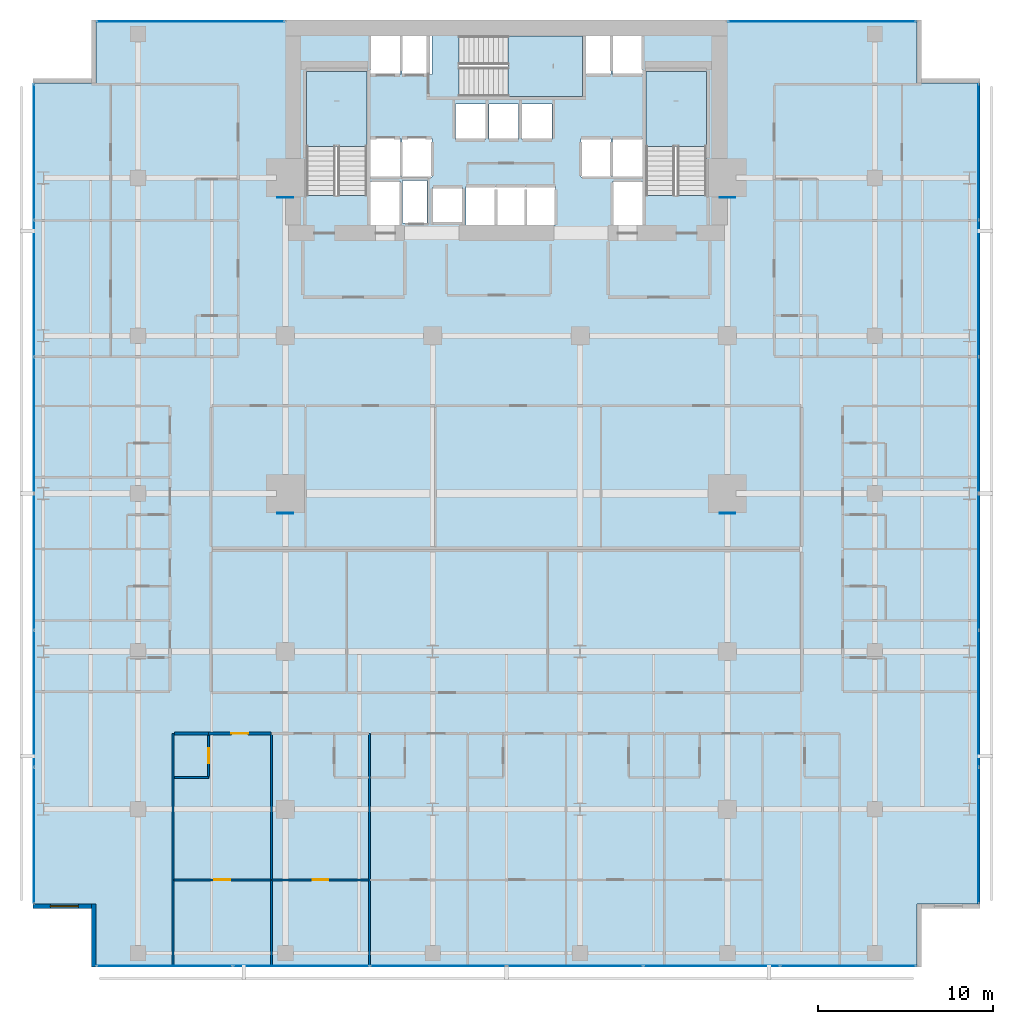
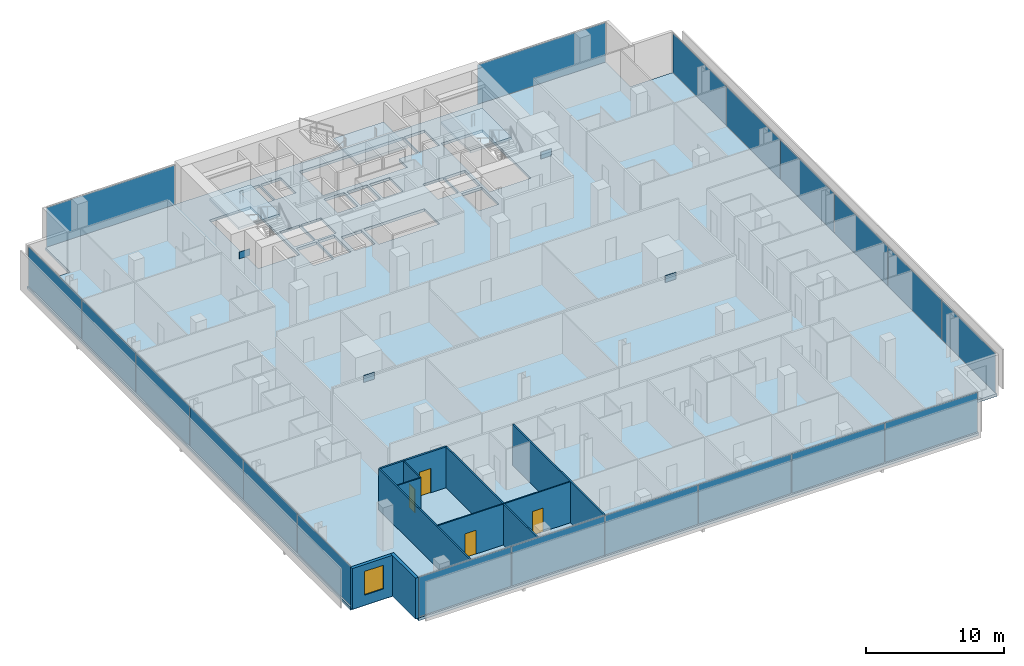
# One storey, part 32 of 40: 24 plates, 11 walls, 4 doors, 4 slabs, 1 window, 5 openings, 8 elements without a shape of their own.
"""IFC4 building model written with IfcOpenShell, lengths in metres."""

from ifc_helpers import new_model, si_unit, direction, frame, frame_2d, origin, origin_2d, place, context, subcontext, project, spatial, polyline, rectangle, outline, extrude, material, layer, layer_set, type_object, element, fill, aggregate, save


model = new_model("IFC4")

# Units and contexts
model_context = context("Model", 3, precision=1e-05, world=origin(), true_north=direction((0.0, 1.0)))
body_context = subcontext(model_context, "Body", "Model", "MODEL_VIEW")
ifc_project = project(units=[si_unit("LENGTHUNIT", "METRE"), si_unit("AREAUNIT", "SQUARE_METRE"), si_unit("VOLUMEUNIT", "CUBIC_METRE"), si_unit("PLANEANGLEUNIT", "RADIAN"), si_unit("MASSUNIT", "GRAM", prefix="KILO")], contexts=[model_context])

# Site, building, storey
site_placement = place(None, origin())
site = spatial("IfcSite", under=ifc_project, at=site_placement, CompositionType="ELEMENT")
building_placement = place(site_placement, origin())
building = spatial("IfcBuilding", under=site, at=building_placement, Name="Maruvema Waterfront Hotel and Observation Tower", CompositionType="ELEMENT")
storey_placement = place(building_placement, frame((0.0, 0.0, 53.89990234375)))
storey = spatial("IfcBuildingStorey", under=building, at=storey_placement, Name="L12", CompositionType="ELEMENT", Elevation=53.89990234375)

# Slab
ifc_material_1 = material(Name="Concrete C50/60", Category="concrete")
ifc_layer_1 = layer(ifc_material_1, 0.239990234375, Name="Reinforced Concrete Floor Slab 240 mm")
ifc_layer_set_1 = layer_set([ifc_layer_1], Name="Concrete C50/60")
slab_type_1 = type_object("IfcSlabType", Name="Reinforced Concrete Floor Slab 240 mm", PredefinedType="FLOOR", material=ifc_layer_set_1)
slab_1_placement = place(storey_placement, frame((0.0, 0.0, -0.239990234375)))
element("IfcSlab", 1, at=slab_1_placement, inside=storey, type_object=slab_type_1, Name="L12 Structural Floor Slab", PredefinedType="FLOOR", context=body_context, shape_type="SweptSolid", body=[
    extrude(outline(polyline([(14.39990234375, 0.0), (61.199951171875, 0.0), (61.199951171875, 3.60009765625), (64.800048828125, 3.60009765625), (64.800048828125, 50.39990234375), (61.199951171875, 50.39990234375), (61.199951171875, 54.0), (14.39990234375, 54.0), (14.39990234375, 50.39990234375), (10.800048828125, 50.39990234375), (10.800048828125, 3.60009765625), (14.39990234375, 3.60009765625), (14.39990234375, 0.0)]), holes=[polyline([(26.39990234375, 44.00048828125), (26.39990234375, 51.050048828125), (29.85009765625, 51.050048828125), (29.85009765625, 44.00048828125), (26.39990234375, 44.00048828125)]), polyline([(30.050048828125, 44.800048828125), (31.75, 44.800048828125), (31.75, 42.320068359375), (30.050048828125, 42.320068359375), (30.050048828125, 44.800048828125)]), polyline([(31.75, 47.25), (31.75, 45.050048828125), (30.050048828125, 45.050048828125), (30.050048828125, 47.25), (31.75, 47.25)]), polyline([(31.75, 53.10009765625), (31.75, 50.89990234375), (30.050048828125, 50.89990234375), (30.050048828125, 53.10009765625), (31.75, 53.10009765625)]), polyline([(33.280029296875, 44.860107421875), (33.280029296875, 42.43994140625), (31.8798828125, 42.43994140625), (31.8798828125, 44.860107421875), (33.280029296875, 44.860107421875)]), polyline([(31.85009765625, 47.25), (33.550048828125, 47.25), (33.550048828125, 45.050048828125), (31.85009765625, 45.050048828125), (31.85009765625, 47.25)]), polyline([(31.85009765625, 53.10009765625), (33.550048828125, 53.10009765625), (33.550048828125, 50.89990234375), (31.85009765625, 50.89990234375), (31.85009765625, 53.10009765625)]), polyline([(33.60009765625, 44.449951171875), (35.300048828125, 44.449951171875), (35.300048828125, 42.449951171875), (33.60009765625, 42.449951171875), (33.60009765625, 44.449951171875)]), polyline([(34.89990234375, 49.199951171875), (36.60009765625, 49.199951171875), (36.60009765625, 47.199951171875), (34.89990234375, 47.199951171875), (34.89990234375, 49.199951171875)]), polyline([(38.5, 49.199951171875), (38.5, 47.199951171875), (36.800048828125, 47.199951171875), (36.800048828125, 49.199951171875), (38.5, 49.199951171875)]), polyline([(35.5, 44.5), (40.60009765625, 44.5), (40.60009765625, 42.300048828125), (35.5, 42.300048828125), (35.5, 44.5)]), polyline([(43.75, 50.89990234375), (42.14990234375, 50.89990234375), (42.14990234375, 49.64990234375), (35.1005859375, 49.64990234375), (35.1005859375, 53.10009765625), (43.75, 53.10009765625), (43.75, 50.89990234375)]), polyline([(40.39990234375, 49.199951171875), (40.39990234375, 47.199951171875), (38.699951171875, 47.199951171875), (38.699951171875, 49.199951171875), (40.39990234375, 49.199951171875)]), polyline([(43.75, 47.25), (43.75, 45.050048828125), (42.050048828125, 45.050048828125), (42.050048828125, 47.25), (43.75, 47.25)]), polyline([(45.550048828125, 44.800048828125), (45.550048828125, 42.320068359375), (43.85009765625, 42.320068359375), (43.85009765625, 44.800048828125), (45.550048828125, 44.800048828125)]), polyline([(43.85009765625, 47.25), (45.550048828125, 47.25), (45.550048828125, 45.050048828125), (43.85009765625, 45.050048828125), (43.85009765625, 47.25)]), polyline([(45.550048828125, 53.10009765625), (45.550048828125, 50.89990234375), (43.85009765625, 50.89990234375), (43.85009765625, 53.10009765625), (45.550048828125, 53.10009765625)]), polyline([(45.75, 51.050048828125), (49.199951171875, 51.050048828125), (49.199951171875, 44.00048828125), (45.75, 44.00048828125), (45.75, 51.050048828125)])]), origin(), (0.0, 0.0, 1.0), 0.239990234375),
])

# Curtain wall, plates
ifc_material_2 = material(Name="Anodised bronze aluminium and solar-control low-E IGU", Category="aluminium")
ifc_layer_2 = layer(ifc_material_2, 0.159912109375, Name="Zone 1 Bronze Inner Thermal Curtain Wall System CW-02")
ifc_layer_set_2 = layer_set([ifc_layer_2], Name="Anodised bronze aluminium and solar-control low-E IGU")
curtain_wall_type = type_object("IfcCurtainWallType", Name="Zone 1 Bronze Inner Thermal Curtain Wall System CW-02", PredefinedType="USERDEFINED", material=ifc_layer_set_2)
curtain_wall_1_placement = place(storey_placement, origin())
curtain_wall_1 = element("IfcCurtainWall", 2, at=curtain_wall_1_placement, inside=storey, type_object=curtain_wall_type, Name="L12 Curtain Wall CW-L12-S", ObjectType="UNITISED CURTAIN WALL", PredefinedType="USERDEFINED")
ifc_material_3 = material(Name="Laminated low-E solar-control double glazing", Category="glass")
ifc_layer_3 = layer(ifc_material_3, 0.035888671875, Name="Solar Control Double-Glazed Curtain Panel 36 mm")
ifc_layer_set_3 = layer_set([ifc_layer_3], Name="Laminated low-E solar-control double glazing")
plate_type_1 = type_object("IfcPlateType", Name="Solar Control Double-Glazed Curtain Panel 36 mm", PredefinedType="CURTAIN_PANEL", material=ifc_layer_set_3)
plate_1_placement = place(storey_placement, frame((18.31494140625, 0.080078125, 0.06005859375), z_axis=(0.0, 0.0, 1.0), x_axis=(1.0, 0.0, 0.0)))
plate_1 = element("IfcPlate", 3, at=plate_1_placement, type_object=plate_type_1, Name="CW-02 panel 1.1", PredefinedType="CURTAIN_PANEL", context=body_context, shape_type="SweptSolid", body=[
    extrude(rectangle(XDim=7.7099609375, YDim=0.028076171875, at=origin_2d()), origin(), (0.0, 0.0, 1.0), 3.489990234375),
])
plate_2_placement = place(storey_placement, frame((26.10009765625, 0.080078125, 0.06005859375), z_axis=(0.0, 0.0, 1.0), x_axis=(1.0, 0.0, 0.0)))
plate_2 = element("IfcPlate", 4, at=plate_2_placement, type_object=plate_type_1, Name="CW-02 panel 2.1", PredefinedType="CURTAIN_PANEL", context=body_context, shape_type="SweptSolid", body=[
    extrude(rectangle(XDim=7.739990234375, YDim=0.028076171875, at=origin_2d()), origin(), (0.0, 0.0, 1.0), 3.489990234375),
])
plate_3_placement = place(storey_placement, frame((33.89990234375, 0.080078125, 0.06005859375), z_axis=(0.0, 0.0, 1.0), x_axis=(1.0, 0.0, 0.0)))
plate_3 = element("IfcPlate", 5, at=plate_3_placement, type_object=plate_type_1, Name="CW-02 panel 3.1", PredefinedType="CURTAIN_PANEL", context=body_context, shape_type="SweptSolid", body=[
    extrude(rectangle(XDim=7.739990234375, YDim=0.028076171875, at=origin_2d()), origin(), (0.0, 0.0, 1.0), 3.489990234375),
])
plate_4_placement = place(storey_placement, frame((41.699951171875, 0.080078125, 0.06005859375), z_axis=(0.0, 0.0, 1.0), x_axis=(1.0, 0.0, 0.0)))
plate_4 = element("IfcPlate", 6, at=plate_4_placement, type_object=plate_type_1, Name="CW-02 panel 4.1", PredefinedType="CURTAIN_PANEL", context=body_context, shape_type="SweptSolid", body=[
    extrude(rectangle(XDim=7.739990234375, YDim=0.028076171875, at=origin_2d()), origin(), (0.0, 0.0, 1.0), 3.489990234375),
])
plate_5_placement = place(storey_placement, frame((49.5, 0.080078125, 0.06005859375), z_axis=(0.0, 0.0, 1.0), x_axis=(1.0, 0.0, 0.0)))
plate_5 = element("IfcPlate", 7, at=plate_5_placement, type_object=plate_type_1, Name="CW-02 panel 5.1", PredefinedType="CURTAIN_PANEL", context=body_context, shape_type="SweptSolid", body=[
    extrude(rectangle(XDim=7.739990234375, YDim=0.028076171875, at=origin_2d()), origin(), (0.0, 0.0, 1.0), 3.489990234375),
])
plate_6_placement = place(storey_placement, frame((57.284912109375, 0.080078125, 0.06005859375), z_axis=(0.0, 0.0, 1.0), x_axis=(1.0, 0.0, 0.0)))
plate_6 = element("IfcPlate", 8, at=plate_6_placement, type_object=plate_type_1, Name="CW-02 panel 6.1", PredefinedType="CURTAIN_PANEL", context=body_context, shape_type="SweptSolid", body=[
    extrude(rectangle(XDim=7.7099609375, YDim=0.028076171875, at=origin_2d()), origin(), (0.0, 0.0, 1.0), 3.489990234375),
])
aggregate(curtain_wall_1, [plate_1, plate_2, plate_3, plate_4, plate_5, plate_6])

curtain_wall_2_placement = place(storey_placement, origin())
curtain_wall_2 = element("IfcCurtainWall", 9, at=curtain_wall_2_placement, inside=storey, type_object=curtain_wall_type, Name="L12 Curtain Wall CW-L12-E", ObjectType="UNITISED CURTAIN WALL", PredefinedType="USERDEFINED")
plate_7_placement = place(storey_placement, frame((64.719970703125, 7.514892578125, 0.06005859375), z_axis=(0.0, 0.0, 1.0), x_axis=(0.0, 1.0, 0.0)))
plate_7 = element("IfcPlate", 10, at=plate_7_placement, type_object=plate_type_1, Name="CW-02 panel 1.1", PredefinedType="CURTAIN_PANEL", context=body_context, shape_type="SweptSolid", body=[
    extrude(rectangle(XDim=7.7099609375, YDim=0.028076171875, at=origin_2d()), origin(), (0.0, 0.0, 1.0), 3.489990234375),
])
plate_8_placement = place(storey_placement, frame((64.719970703125, 15.300048828125, 0.06005859375), z_axis=(0.0, 0.0, 1.0), x_axis=(0.0, 1.0, 0.0)))
plate_8 = element("IfcPlate", 11, at=plate_8_placement, type_object=plate_type_1, Name="CW-02 panel 2.1", PredefinedType="CURTAIN_PANEL", context=body_context, shape_type="SweptSolid", body=[
    extrude(rectangle(XDim=7.739990234375, YDim=0.028076171875, at=origin_2d()), origin(), (0.0, 0.0, 1.0), 3.489990234375),
])
plate_9_placement = place(storey_placement, frame((64.719970703125, 23.10009765625, 0.06005859375), z_axis=(0.0, 0.0, 1.0), x_axis=(0.0, 1.0, 0.0)))
plate_9 = element("IfcPlate", 12, at=plate_9_placement, type_object=plate_type_1, Name="CW-02 panel 3.1", PredefinedType="CURTAIN_PANEL", context=body_context, shape_type="SweptSolid", body=[
    extrude(rectangle(XDim=7.739990234375, YDim=0.028076171875, at=origin_2d()), origin(), (0.0, 0.0, 1.0), 3.489990234375),
])
plate_10_placement = place(storey_placement, frame((64.719970703125, 30.89990234375, 0.06005859375), z_axis=(0.0, 0.0, 1.0), x_axis=(0.0, 1.0, 0.0)))
plate_10 = element("IfcPlate", 13, at=plate_10_placement, type_object=plate_type_1, Name="CW-02 panel 4.1", PredefinedType="CURTAIN_PANEL", context=body_context, shape_type="SweptSolid", body=[
    extrude(rectangle(XDim=7.739990234375, YDim=0.028076171875, at=origin_2d()), origin(), (0.0, 0.0, 1.0), 3.489990234375),
])
plate_11_placement = place(storey_placement, frame((64.719970703125, 38.699951171875, 0.06005859375), z_axis=(0.0, 0.0, 1.0), x_axis=(0.0, 1.0, 0.0)))
plate_11 = element("IfcPlate", 14, at=plate_11_placement, type_object=plate_type_1, Name="CW-02 panel 5.1", PredefinedType="CURTAIN_PANEL", context=body_context, shape_type="SweptSolid", body=[
    extrude(rectangle(XDim=7.739990234375, YDim=0.028076171875, at=origin_2d()), origin(), (0.0, 0.0, 1.0), 3.489990234375),
])
plate_12_placement = place(storey_placement, frame((64.719970703125, 46.485107421875, 0.06005859375), z_axis=(0.0, 0.0, 1.0), x_axis=(0.0, 1.0, 0.0)))
plate_12 = element("IfcPlate", 15, at=plate_12_placement, type_object=plate_type_1, Name="CW-02 panel 6.1", PredefinedType="CURTAIN_PANEL", context=body_context, shape_type="SweptSolid", body=[
    extrude(rectangle(XDim=7.7099609375, YDim=0.028076171875, at=origin_2d()), origin(), (0.0, 0.0, 1.0), 3.489990234375),
])
aggregate(curtain_wall_2, [plate_7, plate_8, plate_9, plate_10, plate_11, plate_12])

curtain_wall_3_placement = place(storey_placement, origin())
curtain_wall_3 = element("IfcCurtainWall", 16, at=curtain_wall_3_placement, inside=storey, type_object=curtain_wall_type, Name="L12 Curtain Wall CW-L12-W", ObjectType="UNITISED CURTAIN WALL", PredefinedType="USERDEFINED")
plate_13_placement = place(storey_placement, frame((10.8798828125, 46.485107421875, 0.06005859375), z_axis=(0.0, 0.0, 1.0), x_axis=(0.0, -1.0, 0.0)))
plate_13 = element("IfcPlate", 17, at=plate_13_placement, type_object=plate_type_1, Name="CW-02 panel 1.1", PredefinedType="CURTAIN_PANEL", context=body_context, shape_type="SweptSolid", body=[
    extrude(rectangle(XDim=7.7099609375, YDim=0.028076171875, at=origin_2d()), origin(), (0.0, 0.0, 1.0), 3.489990234375),
])
plate_14_placement = place(storey_placement, frame((10.8798828125, 38.699951171875, 0.06005859375), z_axis=(0.0, 0.0, 1.0), x_axis=(0.0, -1.0, 0.0)))
plate_14 = element("IfcPlate", 18, at=plate_14_placement, type_object=plate_type_1, Name="CW-02 panel 2.1", PredefinedType="CURTAIN_PANEL", context=body_context, shape_type="SweptSolid", body=[
    extrude(rectangle(XDim=7.739990234375, YDim=0.028076171875, at=origin_2d()), origin(), (0.0, 0.0, 1.0), 3.489990234375),
])
plate_15_placement = place(storey_placement, frame((10.8798828125, 30.89990234375, 0.06005859375), z_axis=(0.0, 0.0, 1.0), x_axis=(0.0, -1.0, 0.0)))
plate_15 = element("IfcPlate", 19, at=plate_15_placement, type_object=plate_type_1, Name="CW-02 panel 3.1", PredefinedType="CURTAIN_PANEL", context=body_context, shape_type="SweptSolid", body=[
    extrude(rectangle(XDim=7.739990234375, YDim=0.028076171875, at=origin_2d()), origin(), (0.0, 0.0, 1.0), 3.489990234375),
])
plate_16_placement = place(storey_placement, frame((10.8798828125, 23.10009765625, 0.06005859375), z_axis=(0.0, 0.0, 1.0), x_axis=(0.0, -1.0, 0.0)))
plate_16 = element("IfcPlate", 20, at=plate_16_placement, type_object=plate_type_1, Name="CW-02 panel 4.1", PredefinedType="CURTAIN_PANEL", context=body_context, shape_type="SweptSolid", body=[
    extrude(rectangle(XDim=7.739990234375, YDim=0.028076171875, at=origin_2d()), origin(), (0.0, 0.0, 1.0), 3.489990234375),
])
plate_17_placement = place(storey_placement, frame((10.8798828125, 15.300048828125, 0.06005859375), z_axis=(0.0, 0.0, 1.0), x_axis=(0.0, -1.0, 0.0)))
plate_17 = element("IfcPlate", 21, at=plate_17_placement, type_object=plate_type_1, Name="CW-02 panel 5.1", PredefinedType="CURTAIN_PANEL", context=body_context, shape_type="SweptSolid", body=[
    extrude(rectangle(XDim=7.739990234375, YDim=0.028076171875, at=origin_2d()), origin(), (0.0, 0.0, 1.0), 3.489990234375),
])
plate_18_placement = place(storey_placement, frame((10.8798828125, 7.514892578125, 0.06005859375), z_axis=(0.0, 0.0, 1.0), x_axis=(0.0, -1.0, 0.0)))
plate_18 = element("IfcPlate", 22, at=plate_18_placement, type_object=plate_type_1, Name="CW-02 panel 6.1", PredefinedType="CURTAIN_PANEL", context=body_context, shape_type="SweptSolid", body=[
    extrude(rectangle(XDim=7.7099609375, YDim=0.028076171875, at=origin_2d()), origin(), (0.0, 0.0, 1.0), 3.489990234375),
])
aggregate(curtain_wall_3, [plate_13, plate_14, plate_15, plate_16, plate_17, plate_18])

# Curtain wall, plate
curtain_wall_4_placement = place(storey_placement, origin())
curtain_wall_4 = element("IfcCurtainWall", 23, at=curtain_wall_4_placement, inside=storey, type_object=curtain_wall_type, Name="L12 Curtain Wall CW-L12-NW", ObjectType="UNITISED CURTAIN WALL", PredefinedType="USERDEFINED")
plate_19_placement = place(storey_placement, frame((19.800048828125, 53.919921875, 0.06005859375), z_axis=(0.0, 0.0, 1.0), x_axis=(-1.0, 0.0, 0.0)))
plate_19 = element("IfcPlate", 24, at=plate_19_placement, type_object=plate_type_1, Name="CW-02 panel 1.1", PredefinedType="CURTAIN_PANEL", context=body_context, shape_type="SweptSolid", body=[
    extrude(rectangle(XDim=10.679931640625, YDim=0.028076171875, at=origin_2d()), origin(), (0.0, 0.0, 1.0), 3.489990234375),
])
aggregate(curtain_wall_4, [plate_19])

curtain_wall_5_placement = place(storey_placement, origin())
curtain_wall_5 = element("IfcCurtainWall", 25, at=curtain_wall_5_placement, inside=storey, type_object=curtain_wall_type, Name="L12 Curtain Wall CW-L12-NE", ObjectType="UNITISED CURTAIN WALL", PredefinedType="USERDEFINED")
plate_20_placement = place(storey_placement, frame((55.800048828125, 53.919921875, 0.06005859375), z_axis=(0.0, 0.0, 1.0), x_axis=(-1.0, 0.0, 0.0)))
plate_20 = element("IfcPlate", 26, at=plate_20_placement, type_object=plate_type_1, Name="CW-02 panel 1.1", PredefinedType="CURTAIN_PANEL", context=body_context, shape_type="SweptSolid", body=[
    extrude(rectangle(XDim=10.679931640625, YDim=0.028076171875, at=origin_2d()), origin(), (0.0, 0.0, 1.0), 3.489990234375),
])
aggregate(curtain_wall_5, [plate_20])

# Stair, slab
ifc_material_4 = material(Name="Concrete C50/60", Category="concrete")
stair_type = type_object("IfcStairType", Name="Dogleg Exit Stair 1650 mm (22R x 175.0 mm)", PredefinedType="HALF_TURN_STAIR", material=ifc_material_4)
stair_1_placement = place(storey_placement, origin())
stair_1 = element("IfcStair", 27, at=stair_1_placement, inside=storey, type_object=stair_type, Name="L12 ST-01", PredefinedType="HALF_TURN_STAIR")
ifc_material_5 = material(Name="Concrete C50/60", Category="concrete")
ifc_layer_4 = layer(ifc_material_5, 0.219970703125, Name="Stair Concrete Landing Slab 220 mm")
ifc_layer_set_4 = layer_set([ifc_layer_4], Name="Concrete C50/60")
slab_type_2 = type_object("IfcSlabType", Name="Stair Concrete Landing Slab 220 mm", PredefinedType="LANDING", material=ifc_layer_set_4)
slab_2_placement = place(storey_placement, frame((0.0, 0.0, 1.705078125)))
slab_2 = element("IfcSlab", 28, at=slab_2_placement, type_object=slab_type_2, Name="ST-01 landing 1", PredefinedType="LANDING", context=body_context, shape_type="SweptSolid", body=[
    extrude(outline(polyline([(29.85009765625, 46.800048828125), (29.85009765625, 51.050048828125), (26.39990234375, 51.050048828125), (26.39990234375, 46.800048828125), (29.85009765625, 46.800048828125)])), origin(), (0.0, 0.0, 1.0), 0.219970703125),
])
aggregate(stair_1, [slab_2])

stair_2_placement = place(storey_placement, origin())
stair_2 = element("IfcStair", 29, at=stair_2_placement, inside=storey, type_object=stair_type, Name="L12 ST-02", PredefinedType="HALF_TURN_STAIR")
slab_3_placement = place(storey_placement, frame((0.0, 0.0, 1.705078125)))
slab_3 = element("IfcSlab", 30, at=slab_3_placement, type_object=slab_type_2, Name="ST-02 landing 1", PredefinedType="LANDING", context=body_context, shape_type="SweptSolid", body=[
    extrude(outline(polyline([(37.89990234375, 49.64990234375), (42.14990234375, 49.64990234375), (42.14990234375, 53.10009765625), (37.89990234375, 53.10009765625), (37.89990234375, 49.64990234375)])), origin(), (0.0, 0.0, 1.0), 0.219970703125),
])
aggregate(stair_2, [slab_3])

stair_3_placement = place(storey_placement, origin())
stair_3 = element("IfcStair", 31, at=stair_3_placement, inside=storey, type_object=stair_type, Name="L12 ST-03", PredefinedType="HALF_TURN_STAIR")
slab_4_placement = place(storey_placement, frame((0.0, 0.0, 1.705078125)))
slab_4 = element("IfcSlab", 32, at=slab_4_placement, type_object=slab_type_2, Name="ST-03 landing 1", PredefinedType="LANDING", context=body_context, shape_type="SweptSolid", body=[
    extrude(outline(polyline([(49.199951171875, 46.800048828125), (49.199951171875, 51.050048828125), (45.75, 51.050048828125), (45.75, 46.800048828125), (49.199951171875, 46.800048828125)])), origin(), (0.0, 0.0, 1.0), 0.219970703125),
])
aggregate(stair_3, [slab_4])

# Plates
ifc_material_6 = material(Name="Steel ABNT NBR 7007 AR 415 (ASTM A572 Grade 50)", Category="steel")
ifc_layer_5 = layer(ifc_material_6, 0.0400390625, Name="Structural Truss Node Gusset Plate 40 mm")
ifc_layer_set_5 = layer_set([ifc_layer_5], Name="Steel ABNT NBR 7007 AR 415 (ASTM A572 Grade 50)")
plate_type_2 = type_object("IfcPlateType", Name="Structural Truss Node Gusset Plate 40 mm", PredefinedType="USERDEFINED", material=ifc_layer_set_5)
for number, where, z_axis, x_axis, name in (
    (33, (25.199951171875, 25.8798828125, 1.5), (0.0, 0.0, 1.0), (1.0, 0.0, 0.0), "L12 MC-01 Moment Frame Continuity Gusset Plate"),
    (34, (50.39990234375, 25.8798828125, 1.5), (0.0, 0.0, 1.0), (1.0, 0.0, 0.0), "L12 MC-02 Moment Frame Continuity Gusset Plate"),
    (35, (25.199951171875, 43.8798828125, 1.5), (0.0, 0.0, 1.0), (1.0, 0.0, 0.0), "L12 MC-03 Moment Frame Continuity Gusset Plate"),
    (36, (50.39990234375, 43.8798828125, 1.5), (0.0, 0.0, 1.0), (1.0, 0.0, 0.0), "L12 MC-04 Moment Frame Continuity Gusset Plate"),
):
    element("IfcPlate", number, at=place(storey_placement, frame(where, z_axis=z_axis, x_axis=x_axis)), inside=storey, type_object=plate_type_2, Name=name, ObjectType="GUSSET_PLATE", PredefinedType="USERDEFINED", context=body_context, shape_type="SweptSolid", body=[
        extrude(rectangle(XDim=0.89990234375, YDim=0.0400390625, at=origin_2d()), origin(), (0.0, 0.0, 1.0), 0.60009765625),
    ])

# Wall
ifc_material_7 = material(Name="Twin-stud acoustic gypsum drywall", Category="gypsum")
ifc_layer_6 = layer(ifc_material_7, 0.14990234375, Name="Acoustic Corridor and Suite Demising Wall 150 mm")
ifc_layer_set_6 = layer_set([ifc_layer_6], Name="Twin-stud acoustic gypsum drywall")
wall_type_1 = type_object("IfcWallType", Name="Acoustic Corridor and Suite Demising Wall 150 mm", PredefinedType="PARTITIONING", material=ifc_layer_set_6)
wall_1_placement = place(storey_placement, frame((18.8798828125, 13.320068359375, 0.0), z_axis=(0.0, 0.0, 1.0), x_axis=(1.0, 0.0, 0.0)))
element("IfcWall", 37, at=wall_1_placement, inside=storey, type_object=wall_type_1, Name="L12 Bath L12-S1 Back Wall 036", PredefinedType="PARTITIONING", context=body_context, shape_type="SweptSolid", body=[
    extrude(rectangle(XDim=1.940185546875, YDim=0.14990234375, at=frame_2d((0.97021484375, 0.0))), origin(), (0.0, 0.0, 1.0), 3.610107421875),
])

# Wall, opening, door
wall_2_placement = place(storey_placement, frame((20.820068359375, 13.320068359375, 0.0), z_axis=(0.0, 0.0, 1.0), x_axis=(1.0, 0.0, 0.0)))
wall_2 = element("IfcWall", 38, at=wall_2_placement, inside=storey, type_object=wall_type_1, Name="L12 Unit L12-S1 Corridor Wall 039", PredefinedType="PARTITIONING", context=body_context, shape_type="SweptSolid", body=[
    extrude(rectangle(XDim=3.559814453125, YDim=0.14990234375, at=frame_2d((1.77978515625, 0.0))), origin(), (0.0, 0.0, 1.0), 3.610107421875),
])
opening_1_placement = place(wall_2_placement, frame((1.304931640625, 0.0, 0.0)))
opening_1 = element("IfcOpeningElement", 39, at=opening_1_placement, cuts=wall_2, Name="Opening DR-095", PredefinedType="OPENING", context=body_context, shape_type="SweptSolid", body=[
    extrude(rectangle(XDim=0.949951171875, YDim=2.14990234375, at=frame_2d((0.47509765625, 1.074951171875))), frame((0.0, 0.0849609375, 0.0), z_axis=(0.0, -1.0, 0.0), x_axis=(1.0, 0.0, 0.0)), (0.0, 0.0, 1.0), 0.169921875),
])
ifc_material_8 = material(Name="Acoustic solid-core hardwood timber leaf", Category="wood")
door_type_1 = type_object("IfcDoorType", Name="Guestroom Entrance Fire Door 950x2150 mm", OperationType="NOTDEFINED", PredefinedType="DOOR", material=ifc_material_8)
door_1_placement = place(opening_1_placement, frame((0.949951171875, 0.0, 0.0), z_axis=(0.0, 0.0, 1.0), x_axis=(-1.0, 0.0, 0.0)))
door_1 = element("IfcDoor", 40, at=door_1_placement, inside=storey, type_object=door_type_1, Name="L12 Unit L12-S1 Entrance Door", OperationType="SINGLE_SWING_RIGHT", OverallHeight=2.14990234375, OverallWidth=0.949951171875, PredefinedType="DOOR", context=body_context, shape_type="SweptSolid", body=[
    extrude(rectangle(XDim=0.949951171875, YDim=2.14990234375, at=frame_2d((0.47509765625, 1.074951171875))), frame((0.0, 0.02490234375, 0.0), z_axis=(0.0, -1.0, 0.0), x_axis=(1.0, 0.0, 0.0)), (0.0, 0.0, 1.0), 0.050048828125),
])
fill(opening_1, door_1)

# Wall
ifc_material_9 = material(Name="Moisture-resistant cement-board drywall", Category="gypsum")
ifc_layer_7 = layer(ifc_material_9, 0.10009765625, Name="En-Suite Moisture-Resistant Partition 100 mm")
ifc_layer_set_7 = layer_set([ifc_layer_7], Name="Moisture-resistant cement-board drywall")
wall_type_2 = type_object("IfcWallType", Name="En-Suite Moisture-Resistant Partition 100 mm", PredefinedType="PARTITIONING", material=ifc_layer_set_7)
wall_3_placement = place(storey_placement, frame((18.8798828125, 10.820068359375, 0.0), z_axis=(0.0, 0.0, 1.0), x_axis=(1.0, 0.0, 0.0)))
element("IfcWall", 41, at=wall_3_placement, inside=storey, type_object=wall_type_2, Name="L12 En-Suite L12-S1 South 037", PredefinedType="PARTITIONING", context=body_context, shape_type="SweptSolid", body=[
    extrude(rectangle(XDim=1.940185546875, YDim=0.10009765625, at=frame_2d((0.97021484375, 0.0))), origin(), (0.0, 0.0, 1.0), 3.610107421875),
])

# Wall, opening, door
wall_4_placement = place(storey_placement, frame((20.820068359375, 10.8798828125, 0.0), z_axis=(0.0, 0.0, 1.0), x_axis=(0.0, 1.0, 0.0)))
wall_4 = element("IfcWall", 42, at=wall_4_placement, inside=storey, type_object=wall_type_2, Name="L12 En-Suite L12-S1 East 038", PredefinedType="PARTITIONING", context=body_context, shape_type="SweptSolid", body=[
    extrude(rectangle(XDim=2.340087890625, YDim=0.10009765625, at=frame_2d((1.169921875, 0.0))), origin(), (0.0, 0.0, 1.0), 3.610107421875),
])
opening_2_placement = place(wall_4_placement, frame((0.7451171875, 0.0, 0.0)))
opening_2 = element("IfcOpeningElement", 43, at=opening_2_placement, cuts=wall_4, Name="Opening DR-085", PredefinedType="OPENING", context=body_context, shape_type="SweptSolid", body=[
    extrude(rectangle(XDim=0.85009765625, YDim=2.10009765625, at=frame_2d((0.425048828125, 1.050048828125))), frame((0.0, 0.06005859375, 0.0), z_axis=(0.0, -1.0, 0.0), x_axis=(1.0, 0.0, 0.0)), (0.0, 0.0, 1.0), 0.1201171875),
])
ifc_material_10 = material(Name="Moisture-resistant solid timber leaf", Category="wood")
door_type_2 = type_object("IfcDoorType", Name="En-Suite Bathroom Door 850x2100 mm", OperationType="NOTDEFINED", PredefinedType="DOOR", material=ifc_material_10)
door_2_placement = place(opening_2_placement, frame((0.85009765625, 0.0, 0.0), z_axis=(0.0, 0.0, 1.0), x_axis=(-1.0, 0.0, 0.0)))
door_2 = element("IfcDoor", 44, at=door_2_placement, inside=storey, type_object=door_type_2, Name="L12 En-Suite L12-S1 Door", OperationType="SINGLE_SWING_LEFT", OverallHeight=2.10009765625, OverallWidth=0.85009765625, PredefinedType="DOOR", context=body_context, shape_type="SweptSolid", body=[
    extrude(rectangle(XDim=0.85009765625, YDim=2.10009765625, at=frame_2d((0.425048828125, 1.050048828125))), frame((0.0, 0.02490234375, 0.0), z_axis=(0.0, -1.0, 0.0), x_axis=(1.0, 0.0, 0.0)), (0.0, 0.0, 1.0), 0.050048828125),
])
fill(opening_2, door_2)

wall_5_placement = place(storey_placement, frame((18.840087890625, 4.977294921875, 0.0), z_axis=(0.0, 0.0, 1.0), x_axis=(1.0, 0.0, 0.0)))
wall_5 = element("IfcWall", 45, at=wall_5_placement, inside=storey, type_object=wall_type_2, Name="L12 Suite L12-S1 Split 040", PredefinedType="PARTITIONING", context=body_context, shape_type="SweptSolid", body=[
    extrude(rectangle(XDim=5.52001953125, YDim=0.10009765625, at=frame_2d((2.760009765625, 0.0))), origin(), (0.0, 0.0, 1.0), 3.610107421875),
])
opening_3_placement = place(wall_5_placement, frame((2.31005859375, 0.0, 0.0)))
opening_3 = element("IfcOpeningElement", 46, at=opening_3_placement, cuts=wall_5, Name="Opening DR-090", PredefinedType="OPENING", context=body_context, shape_type="SweptSolid", body=[
    extrude(rectangle(XDim=0.89990234375, YDim=2.10009765625, at=frame_2d((0.449951171875, 1.050048828125))), frame((0.0, 0.06005859375, 0.0), z_axis=(0.0, -1.0, 0.0), x_axis=(1.0, 0.0, 0.0)), (0.0, 0.0, 1.0), 0.1201171875),
])
ifc_material_11 = material(Name="Solid-core lacquered timber leaf", Category="wood")
door_type_3 = type_object("IfcDoorType", Name="Accessible Toilet and Room Door 900x2100 mm", OperationType="NOTDEFINED", PredefinedType="DOOR", material=ifc_material_11)
door_3_placement = place(opening_3_placement, frame((0.89990234375, 0.0, 0.0), z_axis=(0.0, 0.0, 1.0), x_axis=(-1.0, 0.0, 0.0)))
door_3 = element("IfcDoor", 47, at=door_3_placement, inside=storey, type_object=door_type_3, Name="L12 Suite L12-S1 Bedroom Door", OperationType="SINGLE_SWING_LEFT", OverallHeight=2.10009765625, OverallWidth=0.89990234375, PredefinedType="DOOR", context=body_context, shape_type="SweptSolid", body=[
    extrude(rectangle(XDim=0.89990234375, YDim=2.10009765625, at=frame_2d((0.449951171875, 1.050048828125))), frame((0.0, 0.02490234375, 0.0), z_axis=(0.0, -1.0, 0.0), x_axis=(1.0, 0.0, 0.0)), (0.0, 0.0, 1.0), 0.050048828125),
])
fill(opening_3, door_3)

wall_6_placement = place(storey_placement, frame((24.43994140625, 4.977294921875, 0.0), z_axis=(0.0, 0.0, 1.0), x_axis=(1.0, 0.0, 0.0)))
wall_6 = element("IfcWall", 48, at=wall_6_placement, inside=storey, type_object=wall_type_2, Name="L12 Suite L12-S2 Split 046", PredefinedType="PARTITIONING", context=body_context, shape_type="SweptSolid", body=[
    extrude(rectangle(XDim=5.52001953125, YDim=0.10009765625, at=frame_2d((2.760009765625, 0.0))), origin(), (0.0, 0.0, 1.0), 3.610107421875),
])
opening_4_placement = place(wall_6_placement, frame((2.31005859375, 0.0, 0.0)))
opening_4 = element("IfcOpeningElement", 49, at=opening_4_placement, cuts=wall_6, Name="Opening DR-090", PredefinedType="OPENING", context=body_context, shape_type="SweptSolid", body=[
    extrude(rectangle(XDim=0.89990234375, YDim=2.10009765625, at=frame_2d((0.449951171875, 1.050048828125))), frame((0.0, 0.06005859375, 0.0), z_axis=(0.0, -1.0, 0.0), x_axis=(1.0, 0.0, 0.0)), (0.0, 0.0, 1.0), 0.1201171875),
])
door_4_placement = place(opening_4_placement, frame((0.89990234375, 0.0, 0.0), z_axis=(0.0, 0.0, 1.0), x_axis=(-1.0, 0.0, 0.0)))
door_4 = element("IfcDoor", 50, at=door_4_placement, inside=storey, type_object=door_type_3, Name="L12 Suite L12-S2 Bedroom Door", OperationType="SINGLE_SWING_RIGHT", OverallHeight=2.10009765625, OverallWidth=0.89990234375, PredefinedType="DOOR", context=body_context, shape_type="SweptSolid", body=[
    extrude(rectangle(XDim=0.89990234375, YDim=2.10009765625, at=frame_2d((0.449951171875, 1.050048828125))), frame((0.0, 0.02490234375, 0.0), z_axis=(0.0, -1.0, 0.0), x_axis=(1.0, 0.0, 0.0)), (0.0, 0.0, 1.0), 0.050048828125),
])
fill(opening_4, door_4)

# Wall
ifc_material_12 = material(Name="Precast concrete C45/55 with honed Pernambuco granite facing", Category="masonry")
ifc_layer_8 = layer(ifc_material_12, 0.260009765625, Name="Exterior Granite Clad Spandrel and Pier Wall 260 mm")
ifc_layer_set_8 = layer_set([ifc_layer_8], Name="Precast concrete C45/55 with honed Pernambuco granite facing")
wall_type_3 = type_object("IfcWallType", Name="Exterior Granite Clad Spandrel and Pier Wall 260 mm", PredefinedType="SOLIDWALL", material=ifc_layer_set_8)
wall_7_placement = place(storey_placement, frame((14.27001953125, 0.0, 0.0), z_axis=(0.0, 0.0, 1.0), x_axis=(0.0, 1.0, 0.0)))
element("IfcWall", 51, at=wall_7_placement, inside=storey, type_object=wall_type_3, Name="L12 Corner Notch Granite Pier Wall SW1", PredefinedType="SOLIDWALL", context=body_context, shape_type="SweptSolid", body=[
    extrude(rectangle(XDim=3.60009765625, YDim=0.260009765625, at=frame_2d((1.800048828125, 0.0))), origin(), (0.0, 0.0, 1.0), 3.610107421875),
])

# Wall, opening, window
wall_8_placement = place(storey_placement, frame((14.39990234375, 3.469970703125, 0.0), z_axis=(0.0, 0.0, 1.0), x_axis=(-1.0, 0.0, 0.0)))
wall_8 = element("IfcWall", 52, at=wall_8_placement, inside=storey, type_object=wall_type_3, Name="L12 Corner Notch Granite Pier Wall SW2", PredefinedType="SOLIDWALL", context=body_context, shape_type="SweptSolid", body=[
    extrude(rectangle(XDim=3.599853515625, YDim=0.260009765625, at=frame_2d((1.7998046875, 0.0))), origin(), (0.0, 0.0, 1.0), 3.610107421875),
])
opening_5_placement = place(wall_8_placement, frame((1.0, 0.0, 0.89990234375)))
opening_5 = element("IfcOpeningElement", 53, at=opening_5_placement, cuts=wall_8, Name="Opening WN-01", PredefinedType="OPENING", context=body_context, shape_type="SweptSolid", body=[
    extrude(rectangle(XDim=1.60009765625, YDim=2.10009765625, at=frame_2d((0.800048828125, 1.050048828125))), frame((0.0, 0.14013671875, 0.0), z_axis=(0.0, -1.0, 0.0), x_axis=(1.0, 0.0, 0.0)), (0.0, 0.0, 1.0), 0.280029296875),
])
ifc_material_13 = material(Name="Anodised bronze aluminium frame with laminated low-E glass", Category="aluminium")
window_type = type_object("IfcWindowType", Name="Corner Notch Feature Window 1600x2100 mm", PartitioningType="SINGLE_PANEL", PredefinedType="WINDOW", material=ifc_material_13)
window_placement = place(opening_5_placement, origin())
window = element("IfcWindow", 54, at=window_placement, inside=storey, type_object=window_type, Name="L12 Corner Notch Punched Window SW2", OverallHeight=2.10009765625, OverallWidth=1.60009765625, PartitioningType="SINGLE_PANEL", PredefinedType="WINDOW", context=body_context, shape_type="SweptSolid", body=[
    extrude(rectangle(XDim=1.60009765625, YDim=2.10009765625, at=frame_2d((0.800048828125, 1.050048828125))), frame((0.0, 0.030029296875, 0.0), z_axis=(0.0, -1.0, 0.0), x_axis=(1.0, 0.0, 0.0)), (0.0, 0.0, 1.0), 0.06005859375),
])
fill(opening_5, window)

# Walls
ifc_material_14 = material(Name="Acoustic gypsum plasterboard drywall", Category="gypsum")
ifc_layer_9 = layer(ifc_material_14, 0.125, Name="Guestroom Acoustic Demising Wall 125 mm")
ifc_layer_set_9 = layer_set([ifc_layer_9], Name="Acoustic gypsum plasterboard drywall")
wall_type_4 = type_object("IfcWallType", Name="Guestroom Acoustic Demising Wall 125 mm", PredefinedType="PARTITIONING", material=ifc_layer_set_9)
for number, where, z_axis, x_axis, name in (
    (55, (18.800048828125, 0.10009765625, 0.0), (0.0, 0.0, 1.0), (0.0, 1.0, 0.0), "L12 S West End 034"),
    (56, (24.39990234375, 0.10009765625, 0.0), (0.0, 0.0, 1.0), (0.0, 1.0, 0.0), "L12 S Demising 2 041"),
    (57, (30.0, 0.10009765625, 0.0), (0.0, 0.0, 1.0), (0.0, 1.0, 0.0), "L12 S Demising 3 047"),
):
    element("IfcWall", number, at=place(storey_placement, frame(where, z_axis=z_axis, x_axis=x_axis)), inside=storey, type_object=wall_type_4, Name=name, PredefinedType="PARTITIONING", context=body_context, shape_type="SweptSolid", body=[
        extrude(rectangle(XDim=13.219970703125, YDim=0.125, at=frame_2d((6.60986328125, 0.0))), origin(), (0.0, 0.0, 1.0), 3.610107421875),
    ])

save(model, "model.ifc")
